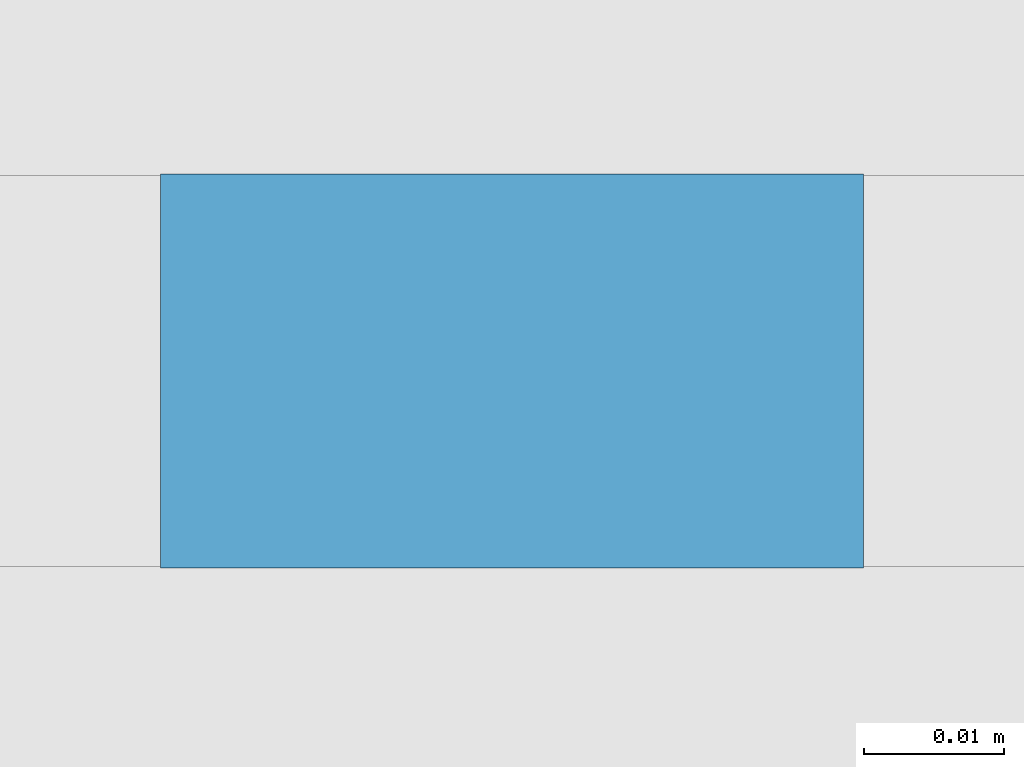
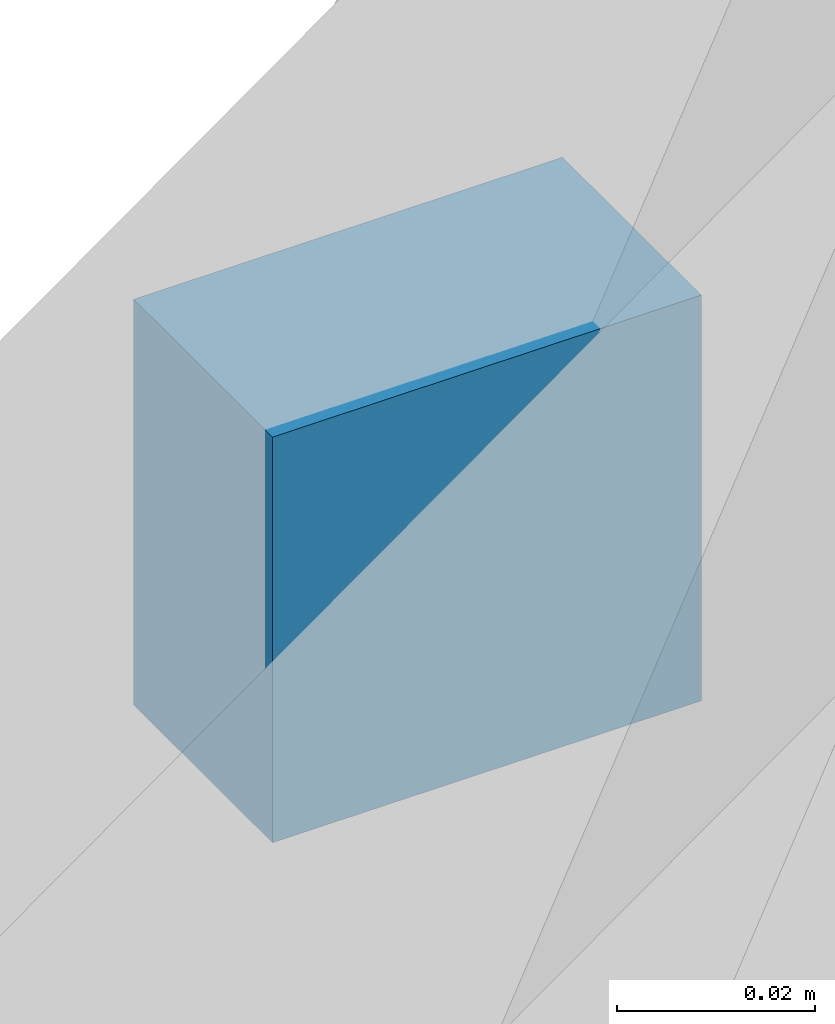
# One storey, part 22 of 24: 1 discrete accessory, 1 element without a shape of its own.
"""IFC4 building model written with IfcOpenShell, lengths in metres."""

from ifc_helpers import new_model, si_unit, direction, frame, origin, origin_2d, place, context, subcontext, project, spatial, rectangle, extrude, material, type_object, element, aggregate, save


model = new_model("IFC4")

# Units and contexts
model_context = context("Model", 3, precision=1e-05, world=origin(), true_north=direction((0.0, 1.0)))
body_context = subcontext(model_context, "Body", "Model", "MODEL_VIEW")
ifc_project = project(units=[si_unit("LENGTHUNIT", "METRE"), si_unit("AREAUNIT", "SQUARE_METRE"), si_unit("VOLUMEUNIT", "CUBIC_METRE"), si_unit("PLANEANGLEUNIT", "RADIAN"), si_unit("MASSUNIT", "GRAM", prefix="KILO")], contexts=[model_context])

# Site, building, storey
site_placement = place(None, origin())
site = spatial("IfcSite", under=ifc_project, at=site_placement, CompositionType="ELEMENT")
building_placement = place(site_placement, origin())
building = spatial("IfcBuilding", under=site, at=building_placement, Name="Tessera Arch", CompositionType="ELEMENT")
storey_placement = place(building_placement, frame((0.0, 0.0, 81.60009765625)))
storey = spatial("IfcBuildingStorey", under=building, at=storey_placement, Name="L18", CompositionType="ELEMENT", Elevation=81.60009765625)

# Curtain wall, discrete accessory
ifc_material = material(Name="CW3 curtain wall")
curtain_wall_type = type_object("IfcCurtainWallType", Name="CW3 curtain wall", PredefinedType="NOTDEFINED", material=ifc_material)
curtain_wall_placement = place(storey_placement, origin())
curtain_wall = element("IfcCurtainWall", 1, at=curtain_wall_placement, inside=storey, type_object=curtain_wall_type, Name="CW3 curtain wall N54.0/0 L18", PredefinedType="NOTDEFINED")
discrete_accessory_placement = place(storey_placement, frame((40.064453125, 54.0439453125, 0.89453125), z_axis=(0.0, 0.0, 1.0), x_axis=(-1.0, 0.0, 0.0)))
discrete_accessory = element("IfcDiscreteAccessory", 2, at=discrete_accessory_placement, Name="Glazing bracket", PredefinedType="BRACKET", context=body_context, shape_type="SweptSolid", body=[
    extrude(rectangle(XDim=0.050048828125, YDim=0.028076171875, at=origin_2d()), origin(), (0.0, 0.0, 1.0), 0.050048828125),
])
aggregate(curtain_wall, [discrete_accessory])

save(model, "model.ifc")
